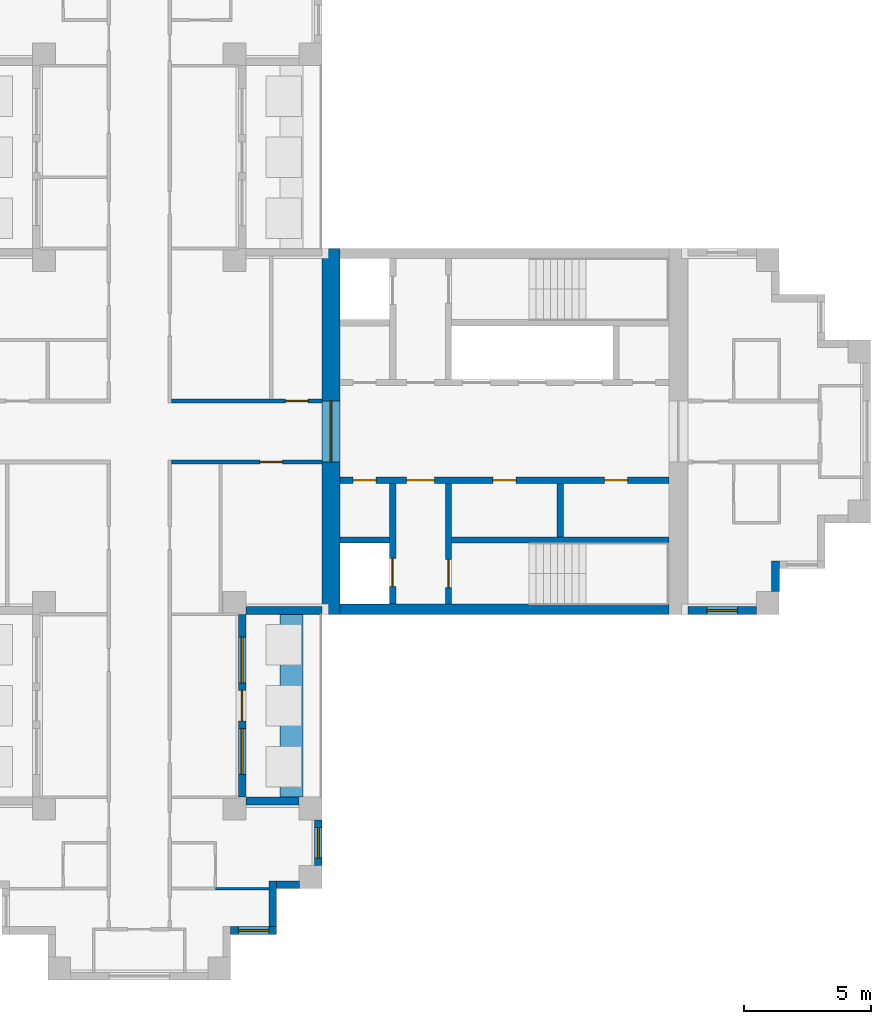
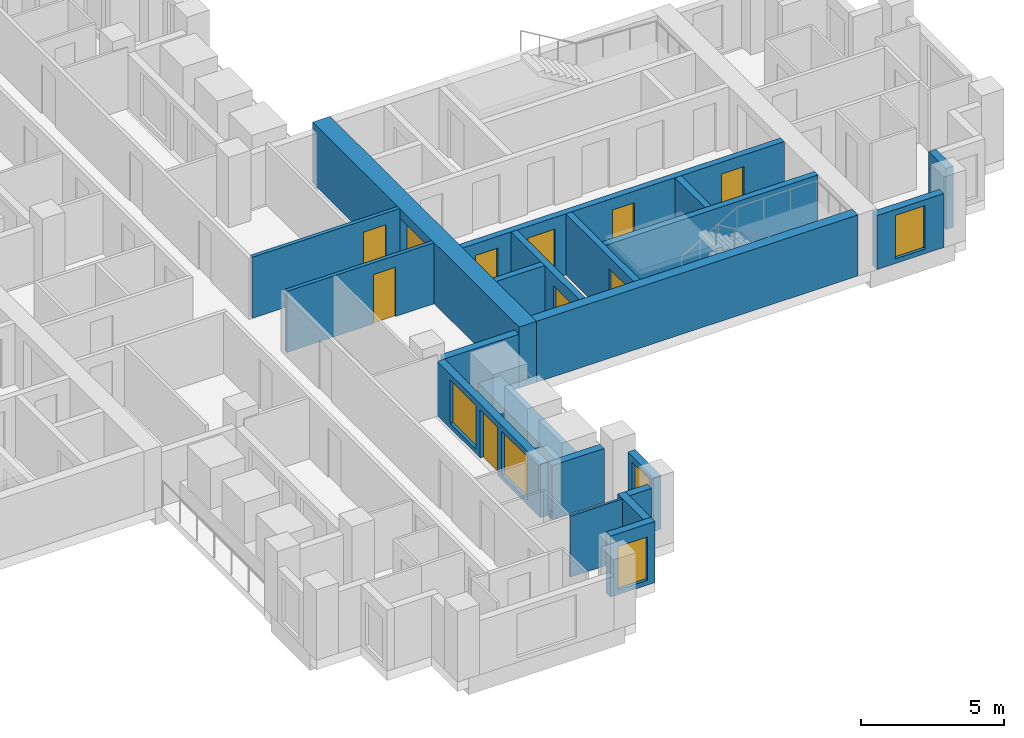
# One storey, part 5 of 10: 21 walls, 10 doors, 5 windows, 15 openings.
"""IFC4 building model written with IfcOpenShell, lengths in metres."""

from ifc_helpers import new_model, si_unit, direction, frame, frame_2d, origin, place, context, subcontext, project, spatial, rectangle, extrude, material, layer, layer_set, type_object, element, fill, save


model = new_model("IFC4")

# Units and contexts
model_context = context("Model", 3, precision=1e-05, world=origin(), true_north=direction((0.0, 1.0)))
body_context = subcontext(model_context, "Body", "Model", "MODEL_VIEW")
ifc_project = project(units=[si_unit("LENGTHUNIT", "METRE"), si_unit("AREAUNIT", "SQUARE_METRE"), si_unit("VOLUMEUNIT", "CUBIC_METRE"), si_unit("PLANEANGLEUNIT", "RADIAN"), si_unit("MASSUNIT", "GRAM", prefix="KILO")], contexts=[model_context])

# Site, building, storey
site_placement = place(None, origin())
site = spatial("IfcSite", under=ifc_project, at=site_placement, CompositionType="ELEMENT")
building_placement = place(site_placement, origin())
building = spatial("IfcBuilding", under=site, at=building_placement, Name="Fustian Cross Tower", CompositionType="ELEMENT")
storey_placement = place(building_placement, frame((0.0, 0.0, 228.89990234375)))
storey = spatial("IfcBuildingStorey", under=building, at=storey_placement, Name="L72", CompositionType="ELEMENT", Elevation=228.89990234375)

# Wall, opening, door
ifc_material_1 = material(Name="Plasterboard on steel stud", Category="steel")
ifc_layer_1 = layer(ifc_material_1, 0.14990234375)
ifc_layer_set_1 = layer_set([ifc_layer_1], Name="Plasterboard on steel stud")
wall_type_1 = type_object("IfcWallType", Name="COMPARTMENT WALL 150 EI 60", PredefinedType="PARTITIONING", material=ifc_layer_set_1)
wall_1_placement = place(storey_placement, frame((1.27490234375, -1.199951171875, 0.0), z_axis=(0.0, 0.0, 1.0), x_axis=(1.0, 0.0, 0.0)))
wall_1 = element("IfcWall", 1, at=wall_1_placement, inside=storey, type_object=wall_type_1, Name="Partition 45", PredefinedType="PARTITIONING", context=body_context, shape_type="SweptSolid", body=[
    extrude(rectangle(XDim=5.925048828125, YDim=0.14990234375, at=frame_2d((2.96240234375, 0.0))), origin(), (0.0, 0.0, 1.0), 2.60009765625),
])
opening_1_placement = place(wall_1_placement, frame((3.47509765625, 0.0, 0.0)))
opening_1 = element("IfcOpeningElement", 2, at=opening_1_placement, cuts=wall_1, Name="Opening D32007", PredefinedType="OPENING", context=body_context, shape_type="SweptSolid", body=[
    extrude(rectangle(XDim=0.89990234375, YDim=2.10009765625, at=frame_2d((0.449951171875, 1.050048828125))), frame((0.0, 0.0849609375, 0.0), z_axis=(0.0, -1.0, 0.0), x_axis=(1.0, 0.0, 0.0)), (0.0, 0.0, 1.0), 0.169921875),
])
ifc_material_2 = material(Name="Timber fire door set", Category="wood")
door_type_1 = type_object("IfcDoorType", Name="FIRE SWING DOOR 900 FD30S", OperationType="SINGLE_SWING_LEFT", PredefinedType="DOOR", material=ifc_material_2)
door_1_placement = place(opening_1_placement, frame((0.89990234375, 0.0, 0.0), z_axis=(0.0, 0.0, 1.0), x_axis=(-1.0, 0.0, 0.0)))
door_1 = element("IfcDoor", 3, at=door_1_placement, inside=storey, type_object=door_type_1, Name="Door D32007", OperationType="SINGLE_SWING_RIGHT", OverallHeight=2.10009765625, OverallWidth=0.89990234375, PredefinedType="DOOR", context=body_context, shape_type="SweptSolid", body=[
    extrude(rectangle(XDim=0.89990234375, YDim=2.10009765625, at=frame_2d((0.449951171875, 1.050048828125))), frame((0.0, 0.02490234375, 0.0), z_axis=(0.0, -1.0, 0.0), x_axis=(1.0, 0.0, 0.0)), (0.0, 0.0, 1.0), 0.050048828125),
])
fill(opening_1, door_1)

wall_2_placement = place(storey_placement, frame((1.27490234375, 1.199951171875, 0.0), z_axis=(0.0, 0.0, 1.0), x_axis=(1.0, 0.0, 0.0)))
wall_2 = element("IfcWall", 4, at=wall_2_placement, inside=storey, type_object=wall_type_1, Name="Partition 47", PredefinedType="PARTITIONING", context=body_context, shape_type="SweptSolid", body=[
    extrude(rectangle(XDim=5.925048828125, YDim=0.14990234375, at=frame_2d((2.96240234375, 0.0))), origin(), (0.0, 0.0, 1.0), 2.60009765625),
])
opening_2_placement = place(wall_2_placement, frame((4.47509765625, 0.0, 0.0)))
opening_2 = element("IfcOpeningElement", 5, at=opening_2_placement, cuts=wall_2, Name="Opening D32002", PredefinedType="OPENING", context=body_context, shape_type="SweptSolid", body=[
    extrude(rectangle(XDim=0.89990234375, YDim=2.10009765625, at=frame_2d((0.449951171875, 1.050048828125))), frame((0.0, 0.0849609375, 0.0), z_axis=(0.0, -1.0, 0.0), x_axis=(1.0, 0.0, 0.0)), (0.0, 0.0, 1.0), 0.169921875),
])
door_2_placement = place(opening_2_placement, origin())
door_2 = element("IfcDoor", 6, at=door_2_placement, inside=storey, type_object=door_type_1, Name="Door D32002", OperationType="SINGLE_SWING_LEFT", OverallHeight=2.10009765625, OverallWidth=0.89990234375, PredefinedType="DOOR", context=body_context, shape_type="SweptSolid", body=[
    extrude(rectangle(XDim=0.89990234375, YDim=2.10009765625, at=frame_2d((0.449951171875, 1.050048828125))), frame((0.0, 0.02490234375, 0.0), z_axis=(0.0, -1.0, 0.0), x_axis=(1.0, 0.0, 0.0)), (0.0, 0.0, 1.0), 0.050048828125),
])
fill(opening_2, door_2)

ifc_material_3 = material(Name="Concrete C50/60", Category="concrete")
ifc_layer_2 = layer(ifc_material_3, 0.699951171875)
ifc_layer_set_2 = layer_set([ifc_layer_2], Name="Concrete C50/60")
wall_type_2 = type_object("IfcWallType", Name="CORE END WALL 700 C50/60", PredefinedType="SHEAR", material=ifc_layer_set_2)
wall_3_placement = place(storey_placement, frame((7.550048828125, -7.199951171875, 0.0), z_axis=(0.0, 0.0, 1.0), x_axis=(0.0, 1.0, 0.0)))
wall_3 = element("IfcWall", 7, at=wall_3_placement, inside=storey, type_object=wall_type_2, Name="Core end wall", PredefinedType="SHEAR", context=body_context, shape_type="SweptSolid", body=[
    extrude(rectangle(XDim=14.39990234375, YDim=0.699951171875, at=frame_2d((7.199951171875, 0.0))), origin(), (0.0, 0.0, 1.0), 2.60009765625),
])
opening_3_placement = place(wall_3_placement, frame((6.0, 0.0, 0.0)))
opening_3 = element("IfcOpeningElement", 8, at=opening_3_placement, cuts=wall_3, Name="Opening CD-27-12", PredefinedType="OPENING", context=body_context, shape_type="SweptSolid", body=[
    extrude(rectangle(XDim=2.39990234375, YDim=2.199951171875, at=frame_2d((1.199951171875, 1.10009765625))), frame((0.0, 0.35986328125, 0.0), z_axis=(0.0, -1.0, 0.0), x_axis=(1.0, 0.0, 0.0)), (0.0, 0.0, 1.0), 0.719970703125),
])
ifc_material_4 = material(Name="Steel", Category="steel")
door_type_2 = type_object("IfcDoorType", Name="FIRE DOOR FD30S DOUBLE 2400X2200", OperationType="DOUBLE_DOOR_DOUBLE_SWING", PredefinedType="DOOR", material=ifc_material_4)
door_3_placement = place(opening_3_placement, frame((2.39990234375, 0.0, 0.0), z_axis=(0.0, 0.0, 1.0), x_axis=(-1.0, 0.0, 0.0)))
door_3 = element("IfcDoor", 9, at=door_3_placement, inside=storey, type_object=door_type_2, Name="Core door CD-27-12", OperationType="DOUBLE_DOOR_DOUBLE_SWING", OverallHeight=2.199951171875, OverallWidth=2.39990234375, PredefinedType="DOOR", context=body_context, shape_type="SweptSolid", body=[
    extrude(rectangle(XDim=2.39990234375, YDim=2.199951171875, at=frame_2d((1.199951171875, 1.10009765625))), frame((0.0, 0.02490234375, 0.0), z_axis=(0.0, -1.0, 0.0), x_axis=(1.0, 0.0, 0.0)), (0.0, 0.0, 1.0), 0.050048828125),
])
fill(opening_3, door_3)

# Wall
ifc_material_5 = material(Name="Concrete C50/60", Category="concrete")
ifc_layer_3 = layer(ifc_material_5, 0.39990234375)
ifc_layer_set_3 = layer_set([ifc_layer_3], Name="Concrete C50/60")
wall_type_3 = type_object("IfcWallType", Name="CORE FACADE WALL 400 C50/60", PredefinedType="SHEAR", material=ifc_layer_set_3)
wall_4_placement = place(storey_placement, frame((7.89990234375, -7.0, 0.0), z_axis=(0.0, 0.0, 1.0), x_axis=(1.0, 0.0, 0.0)))
element("IfcWall", 10, at=wall_4_placement, inside=storey, type_object=wall_type_3, Name="Core facade wall", PredefinedType="SHEAR", context=body_context, shape_type="SweptSolid", body=[
    extrude(rectangle(XDim=12.9501953125, YDim=0.39990234375, at=frame_2d((6.47509765625, 0.0))), origin(), (0.0, 0.0, 1.0), 2.60009765625),
])

# Wall, openings, doors
ifc_material_6 = material(Name="Concrete C50/60", Category="concrete")
ifc_layer_4 = layer(ifc_material_6, 0.25)
ifc_layer_set_4 = layer_set([ifc_layer_4], Name="Concrete C50/60")
wall_type_4 = type_object("IfcWallType", Name="CORE LOBBY WALL 250 C50/60", PredefinedType="SHEAR", material=ifc_layer_set_4)
wall_5_placement = place(storey_placement, frame((7.89990234375, -1.925048828125, 0.0), z_axis=(0.0, 0.0, 1.0), x_axis=(1.0, 0.0, 0.0)))
wall_5 = element("IfcWall", 11, at=wall_5_placement, inside=storey, type_object=wall_type_4, Name="Core lobby wall", PredefinedType="SHEAR", context=body_context, shape_type="SweptSolid", body=[
    extrude(rectangle(XDim=12.9501953125, YDim=0.25, at=frame_2d((6.47509765625, 0.0))), origin(), (0.0, 0.0, 1.0), 2.60009765625),
])
opening_4_placement = place(wall_5_placement, frame((0.52490234375, 0.0, 0.0)))
opening_4 = element("IfcOpeningElement", 12, at=opening_4_placement, cuts=wall_5, Name="Opening CD-27-09", PredefinedType="OPENING", context=body_context, shape_type="SweptSolid", body=[
    extrude(rectangle(XDim=0.89990234375, YDim=2.10009765625, at=frame_2d((0.449951171875, 1.050048828125))), frame((0.0, 0.135009765625, 0.0), z_axis=(0.0, -1.0, 0.0), x_axis=(1.0, 0.0, 0.0)), (0.0, 0.0, 1.0), 0.27001953125),
])
opening_5_placement = place(wall_5_placement, frame((2.625, 0.0, 0.0)))
opening_5 = element("IfcOpeningElement", 13, at=opening_5_placement, cuts=wall_5, Name="Opening CD-27-11", PredefinedType="OPENING", context=body_context, shape_type="SweptSolid", body=[
    extrude(rectangle(XDim=1.10009765625, YDim=2.10009765625, at=frame_2d((0.550048828125, 1.050048828125))), frame((0.0, 0.135009765625, 0.0), z_axis=(0.0, -1.0, 0.0), x_axis=(1.0, 0.0, 0.0)), (0.0, 0.0, 1.0), 0.27001953125),
])
opening_6_placement = place(wall_5_placement, frame((6.02490234375, 0.0, 0.0)))
opening_6 = element("IfcOpeningElement", 14, at=opening_6_placement, cuts=wall_5, Name="Opening CD-27-15", PredefinedType="OPENING", context=body_context, shape_type="SweptSolid", body=[
    extrude(rectangle(XDim=0.89990234375, YDim=2.10009765625, at=frame_2d((0.449951171875, 1.050048828125))), frame((0.0, 0.135009765625, 0.0), z_axis=(0.0, -1.0, 0.0), x_axis=(1.0, 0.0, 0.0)), (0.0, 0.0, 1.0), 0.27001953125),
])
opening_7_placement = place(wall_5_placement, frame((10.425048828125, 0.0, 0.0)))
opening_7 = element("IfcOpeningElement", 15, at=opening_7_placement, cuts=wall_5, Name="Opening CD-27-16", PredefinedType="OPENING", context=body_context, shape_type="SweptSolid", body=[
    extrude(rectangle(XDim=0.89990234375, YDim=2.10009765625, at=frame_2d((0.449951171875, 1.050048828125))), frame((0.0, 0.135009765625, 0.0), z_axis=(0.0, -1.0, 0.0), x_axis=(1.0, 0.0, 0.0)), (0.0, 0.0, 1.0), 0.27001953125),
])
ifc_material_7 = material(Name="Steel", Category="steel")
door_type_3 = type_object("IfcDoorType", Name="FIRE DOOR FD30S 1100X2100", OperationType="SINGLE_SWING_LEFT", PredefinedType="DOOR", material=ifc_material_7)
door_4_placement = place(opening_5_placement, frame((1.10009765625, 0.0, 0.0), z_axis=(0.0, 0.0, 1.0), x_axis=(-1.0, 0.0, 0.0)))
door_4 = element("IfcDoor", 16, at=door_4_placement, inside=storey, type_object=door_type_3, Name="Core door CD-27-11", OperationType="SINGLE_SWING_RIGHT", OverallHeight=2.10009765625, OverallWidth=1.10009765625, PredefinedType="DOOR", context=body_context, shape_type="SweptSolid", body=[
    extrude(rectangle(XDim=1.10009765625, YDim=2.10009765625, at=frame_2d((0.550048828125, 1.050048828125))), frame((0.0, 0.02490234375, 0.0), z_axis=(0.0, -1.0, 0.0), x_axis=(1.0, 0.0, 0.0)), (0.0, 0.0, 1.0), 0.050048828125),
])
fill(opening_5, door_4)
ifc_material_8 = material(Name="Steel", Category="steel")
door_type_4 = type_object("IfcDoorType", Name="FIRE DOOR FD30S 900X2100", OperationType="SINGLE_SWING_LEFT", PredefinedType="DOOR", material=ifc_material_8)
door_5_placement = place(opening_4_placement, frame((0.89990234375, 0.0, 0.0), z_axis=(0.0, 0.0, 1.0), x_axis=(-1.0, 0.0, 0.0)))
door_5 = element("IfcDoor", 17, at=door_5_placement, inside=storey, type_object=door_type_4, Name="Core door CD-27-09", OperationType="SINGLE_SWING_RIGHT", OverallHeight=2.10009765625, OverallWidth=0.89990234375, PredefinedType="DOOR", context=body_context, shape_type="SweptSolid", body=[
    extrude(rectangle(XDim=0.89990234375, YDim=2.10009765625, at=frame_2d((0.449951171875, 1.050048828125))), frame((0.0, 0.02490234375, 0.0), z_axis=(0.0, -1.0, 0.0), x_axis=(1.0, 0.0, 0.0)), (0.0, 0.0, 1.0), 0.050048828125),
])
fill(opening_4, door_5)
door_6_placement = place(opening_6_placement, frame((0.89990234375, 0.0, 0.0), z_axis=(0.0, 0.0, 1.0), x_axis=(-1.0, 0.0, 0.0)))
door_6 = element("IfcDoor", 18, at=door_6_placement, inside=storey, type_object=door_type_4, Name="Core door CD-27-15", OperationType="SINGLE_SWING_LEFT", OverallHeight=2.10009765625, OverallWidth=0.89990234375, PredefinedType="DOOR", context=body_context, shape_type="SweptSolid", body=[
    extrude(rectangle(XDim=0.89990234375, YDim=2.10009765625, at=frame_2d((0.449951171875, 1.050048828125))), frame((0.0, 0.02490234375, 0.0), z_axis=(0.0, -1.0, 0.0), x_axis=(1.0, 0.0, 0.0)), (0.0, 0.0, 1.0), 0.050048828125),
])
fill(opening_6, door_6)
door_7_placement = place(opening_7_placement, frame((0.89990234375, 0.0, 0.0), z_axis=(0.0, 0.0, 1.0), x_axis=(-1.0, 0.0, 0.0)))
door_7 = element("IfcDoor", 19, at=door_7_placement, inside=storey, type_object=door_type_4, Name="Core door CD-27-16", OperationType="SINGLE_SWING_LEFT", OverallHeight=2.10009765625, OverallWidth=0.89990234375, PredefinedType="DOOR", context=body_context, shape_type="SweptSolid", body=[
    extrude(rectangle(XDim=0.89990234375, YDim=2.10009765625, at=frame_2d((0.449951171875, 1.050048828125))), frame((0.0, 0.02490234375, 0.0), z_axis=(0.0, -1.0, 0.0), x_axis=(1.0, 0.0, 0.0)), (0.0, 0.0, 1.0), 0.050048828125),
])
fill(opening_7, door_7)

# Walls
ifc_material_9 = material(Name="Concrete C50/60", Category="concrete")
ifc_layer_5 = layer(ifc_material_9, 0.25)
ifc_layer_set_5 = layer_set([ifc_layer_5], Name="Concrete C50/60")
wall_type_5 = type_object("IfcWallType", Name="CORE SHAFT WALL 250 C50/60", PredefinedType="SHEAR", material=ifc_layer_set_5)
wall_6_placement = place(storey_placement, frame((7.89990234375, -4.27490234375, 0.0), z_axis=(0.0, 0.0, 1.0), x_axis=(1.0, 0.0, 0.0)))
element("IfcWall", 20, at=wall_6_placement, inside=storey, type_object=wall_type_5, Name="Core shaft wall", PredefinedType="SHEAR", context=body_context, shape_type="SweptSolid", body=[
    extrude(rectangle(XDim=1.9501953125, YDim=0.25, at=frame_2d((0.97509765625, 0.0))), origin(), (0.0, 0.0, 1.0), 2.60009765625),
])
wall_7_placement = place(storey_placement, frame((12.300048828125, -4.27490234375, 0.0), z_axis=(0.0, 0.0, 1.0), x_axis=(1.0, 0.0, 0.0)))
element("IfcWall", 21, at=wall_7_placement, inside=storey, type_object=wall_type_5, Name="Core shaft wall", PredefinedType="SHEAR", context=body_context, shape_type="SweptSolid", body=[
    extrude(rectangle(XDim=8.550048828125, YDim=0.25, at=frame_2d((4.27490234375, 0.0))), origin(), (0.0, 0.0, 1.0), 2.60009765625),
])

# Wall, opening, door
wall_8_placement = place(storey_placement, frame((9.97509765625, -2.050048828125, 0.0), z_axis=(0.0, 0.0, 1.0), x_axis=(0.0, -1.0, 0.0)))
wall_8 = element("IfcWall", 22, at=wall_8_placement, inside=storey, type_object=wall_type_5, Name="Core shaft wall", PredefinedType="SHEAR", context=body_context, shape_type="SweptSolid", body=[
    extrude(rectangle(XDim=4.75, YDim=0.25, at=frame_2d((2.375, 0.0))), origin(), (0.0, 0.0, 1.0), 2.60009765625),
])
opening_8_placement = place(wall_8_placement, frame((2.949951171875, 0.0, 0.0)))
opening_8 = element("IfcOpeningElement", 23, at=opening_8_placement, cuts=wall_8, Name="Opening LD", PredefinedType="OPENING", context=body_context, shape_type="SweptSolid", body=[
    extrude(rectangle(XDim=1.10009765625, YDim=2.10009765625, at=frame_2d((0.550048828125, 1.050048828125))), frame((0.0, 0.135009765625, 0.0), z_axis=(0.0, -1.0, 0.0), x_axis=(1.0, 0.0, 0.0)), (0.0, 0.0, 1.0), 0.27001953125),
])
ifc_material_10 = material(Name="Stainless steel", Category="steel")
door_type_5 = type_object("IfcDoorType", Name="LIFT LANDING DOOR 1100X2100", OperationType="SLIDING_TO_LEFT", PredefinedType="DOOR", material=ifc_material_10)
door_8_placement = place(opening_8_placement, origin())
door_8 = element("IfcDoor", 24, at=door_8_placement, inside=storey, type_object=door_type_5, Name="Landing door SV1", OperationType="SLIDING_TO_LEFT", OverallHeight=2.10009765625, OverallWidth=1.10009765625, PredefinedType="DOOR", context=body_context, shape_type="SweptSolid", body=[
    extrude(rectangle(XDim=1.10009765625, YDim=2.10009765625, at=frame_2d((0.550048828125, 1.050048828125))), frame((0.0, 0.02490234375, 0.0), z_axis=(0.0, -1.0, 0.0), x_axis=(1.0, 0.0, 0.0)), (0.0, 0.0, 1.0), 0.050048828125),
])
fill(opening_8, door_8)

wall_9_placement = place(storey_placement, frame((12.175048828125, -2.050048828125, 0.0), z_axis=(0.0, 0.0, 1.0), x_axis=(0.0, -1.0, 0.0)))
wall_9 = element("IfcWall", 25, at=wall_9_placement, inside=storey, type_object=wall_type_5, Name="Core shaft wall", PredefinedType="SHEAR", context=body_context, shape_type="SweptSolid", body=[
    extrude(rectangle(XDim=4.75, YDim=0.25, at=frame_2d((2.375, 0.0))), origin(), (0.0, 0.0, 1.0), 2.60009765625),
])
opening_9_placement = place(wall_9_placement, frame((3.0, 0.0, 0.0)))
opening_9 = element("IfcOpeningElement", 26, at=opening_9_placement, cuts=wall_9, Name="Opening CD-27-07", PredefinedType="OPENING", context=body_context, shape_type="SweptSolid", body=[
    extrude(rectangle(XDim=1.10009765625, YDim=2.10009765625, at=frame_2d((0.550048828125, 1.050048828125))), frame((0.0, 0.135009765625, 0.0), z_axis=(0.0, -1.0, 0.0), x_axis=(1.0, 0.0, 0.0)), (0.0, 0.0, 1.0), 0.27001953125),
])
ifc_material_11 = material(Name="Steel", Category="steel")
door_type_6 = type_object("IfcDoorType", Name="FIRE DOOR FD60S 1100X2100", OperationType="SINGLE_SWING_LEFT", PredefinedType="DOOR", material=ifc_material_11)
door_9_placement = place(opening_9_placement, origin())
door_9 = element("IfcDoor", 27, at=door_9_placement, inside=storey, type_object=door_type_6, Name="Core door CD-27-07", OperationType="SINGLE_SWING_LEFT", OverallHeight=2.10009765625, OverallWidth=1.10009765625, PredefinedType="DOOR", context=body_context, shape_type="SweptSolid", body=[
    extrude(rectangle(XDim=1.10009765625, YDim=2.10009765625, at=frame_2d((0.550048828125, 1.050048828125))), frame((0.0, 0.02490234375, 0.0), z_axis=(0.0, -1.0, 0.0), x_axis=(1.0, 0.0, 0.0)), (0.0, 0.0, 1.0), 0.050048828125),
])
fill(opening_9, door_9)

# Walls
ifc_material_12 = material(Name="Plasterboard on steel stud", Category="steel")
ifc_layer_6 = layer(ifc_material_12, 0.10009765625)
ifc_layer_set_6 = layer_set([ifc_layer_6], Name="Plasterboard on steel stud")
wall_type_6 = type_object("IfcWallType", Name="PARTITION 100 STUD", PredefinedType="PARTITIONING", material=ifc_layer_set_6)
wall_10_placement = place(storey_placement, frame((3.0, -18.0, 0.0), z_axis=(0.0, 0.0, 1.0), x_axis=(1.0, 0.0, 0.0)))
element("IfcWall", 28, at=wall_10_placement, inside=storey, type_object=wall_type_6, Name="Partition 56", PredefinedType="PARTITIONING", context=body_context, shape_type="SweptSolid", body=[
    extrude(rectangle(XDim=2.10009765625, YDim=0.10009765625, at=frame_2d((1.050048828125, 0.0))), origin(), (0.0, 0.0, 1.0), 2.60009765625),
])
ifc_material_13 = material(Name="Concrete C40/50", Category="concrete")
ifc_layer_7 = layer(ifc_material_13, 0.89990234375)
ifc_layer_set_7 = layer_set([ifc_layer_7], Name="Concrete C40/50")
wall_type_7 = type_object("IfcWallType", Name="PK1 PLANTER 900", PredefinedType="PARAPET", material=ifc_layer_set_7)
wall_11_placement = place(storey_placement, frame((6.0, -14.39990234375, 0.0), z_axis=(0.0, 0.0, 1.0), x_axis=(0.0, 1.0, 0.0)))
element("IfcWall", 29, at=wall_11_placement, inside=storey, type_object=wall_type_7, Name="PLANTER", PredefinedType="PARAPET", context=body_context, shape_type="SweptSolid", body=[
    extrude(rectangle(XDim=7.199951171875, YDim=0.89990234375, at=frame_2d((3.60009765625, 0.0))), origin(), (0.0, 0.0, 1.0), 0.800048828125),
])
ifc_material_14 = material(Name="Concrete C40/50", Category="concrete")
ifc_layer_8 = layer(ifc_material_14, 0.25)
ifc_layer_set_8 = layer_set([ifc_layer_8], Name="Concrete C40/50")
wall_type_8 = type_object("IfcWallType", Name="SHAFT PARTITION WALL 250 C40/50", PredefinedType="PARTITIONING", material=ifc_layer_set_8)
wall_12_placement = place(storey_placement, frame((16.574951171875, -2.050048828125, 0.0), z_axis=(0.0, 0.0, 1.0), x_axis=(0.0, -1.0, 0.0)))
element("IfcWall", 30, at=wall_12_placement, inside=storey, type_object=wall_type_8, Name="Core shaft wall", PredefinedType="PARTITIONING", context=body_context, shape_type="SweptSolid", body=[
    extrude(rectangle(XDim=2.099853515625, YDim=0.25, at=frame_2d((1.0498046875, 0.0))), origin(), (0.0, 0.0, 1.0), 2.60009765625),
])

# Wall, opening, window
ifc_material_15 = material(Name="Dark aluminium cladding on insulated backing wall", Category="aluminium")
ifc_layer_9 = layer(ifc_material_15, 0.300048828125)
ifc_layer_set_9 = layer_set([ifc_layer_9], Name="Dark aluminium cladding on insulated backing wall")
wall_type_9 = type_object("IfcWallType", Name="XW1 EXTERNAL WALL 300", PredefinedType="SOLIDWALL", material=ifc_layer_set_9)
wall_13_placement = place(storey_placement, frame((21.60009765625, -7.050048828125, 0.0), z_axis=(0.0, 0.0, 1.0), x_axis=(1.0, 0.0, 0.0)))
wall_13 = element("IfcWall", 31, at=wall_13_placement, inside=storey, type_object=wall_type_9, Name="External wall", PredefinedType="SOLIDWALL", context=body_context, shape_type="SweptSolid", body=[
    extrude(rectangle(XDim=2.699951171875, YDim=0.300048828125, at=frame_2d((1.35009765625, 0.0))), origin(), (0.0, 0.0, 1.0), 2.300048828125),
])
opening_10_placement = place(wall_13_placement, frame((0.75, 0.0, 0.199951171875)))
opening_10 = element("IfcOpeningElement", 32, at=opening_10_placement, cuts=wall_13, Name="Opening WN3", PredefinedType="OPENING", context=body_context, shape_type="SweptSolid", body=[
    extrude(rectangle(XDim=1.199951171875, YDim=1.85009765625, at=frame_2d((0.60009765625, 0.925048828125))), frame((0.0, 0.159912109375, 0.0), z_axis=(0.0, -1.0, 0.0), x_axis=(1.0, 0.0, 0.0)), (0.0, 0.0, 1.0), 0.320068359375),
])
ifc_material_16 = material(Name="Dark anodised aluminium and double glazing", Category="aluminium")
window_type_1 = type_object("IfcWindowType", Name="WN3 WINDOW 1200X1850", PartitioningType="SINGLE_PANEL", PredefinedType="WINDOW", material=ifc_material_16)
window_1_placement = place(opening_10_placement, origin())
window_1 = element("IfcWindow", 33, at=window_1_placement, inside=storey, type_object=window_type_1, Name="Window", OverallHeight=1.85009765625, OverallWidth=1.199951171875, PartitioningType="SINGLE_PANEL", PredefinedType="WINDOW", context=body_context, shape_type="SweptSolid", body=[
    extrude(rectangle(XDim=1.199951171875, YDim=1.85009765625, at=frame_2d((0.60009765625, 0.925048828125))), frame((0.0, 0.030029296875, 0.0), z_axis=(0.0, -1.0, 0.0), x_axis=(1.0, 0.0, 0.0)), (0.0, 0.0, 1.0), 0.06005859375),
])
fill(opening_10, window_1)

# Wall
wall_14_placement = place(storey_placement, frame((25.050048828125, -6.300048828125, 0.0), z_axis=(0.0, 0.0, 1.0), x_axis=(0.0, 1.0, 0.0)))
element("IfcWall", 34, at=wall_14_placement, inside=storey, type_object=wall_type_9, Name="External wall", PredefinedType="SOLIDWALL", context=body_context, shape_type="SweptSolid", body=[
    extrude(rectangle(XDim=1.199951171875, YDim=0.300048828125, at=frame_2d((0.60009765625, 0.0))), origin(), (0.0, 0.0, 1.0), 2.60009765625),
])

# Wall, opening, window
wall_15_placement = place(storey_placement, frame((3.60009765625, -19.64990234375, 0.0), z_axis=(0.0, 0.0, 1.0), x_axis=(1.0, 0.0, 0.0)))
wall_15 = element("IfcWall", 35, at=wall_15_placement, inside=storey, type_object=wall_type_9, Name="External wall", PredefinedType="SOLIDWALL", context=body_context, shape_type="SweptSolid", body=[
    extrude(rectangle(XDim=1.7998046875, YDim=0.300048828125, at=frame_2d((0.89990234375, 0.0))), origin(), (0.0, 0.0, 1.0), 2.60009765625),
])
opening_11_placement = place(wall_15_placement, frame((0.300048828125, 0.0, 0.199951171875)))
opening_11 = element("IfcOpeningElement", 36, at=opening_11_placement, cuts=wall_15, Name="Opening WN3", PredefinedType="OPENING", context=body_context, shape_type="SweptSolid", body=[
    extrude(rectangle(XDim=1.199951171875, YDim=1.85009765625, at=frame_2d((0.60009765625, 0.925048828125))), frame((0.0, 0.159912109375, 0.0), z_axis=(0.0, -1.0, 0.0), x_axis=(1.0, 0.0, 0.0)), (0.0, 0.0, 1.0), 0.320068359375),
])
window_2_placement = place(opening_11_placement, origin())
window_2 = element("IfcWindow", 37, at=window_2_placement, inside=storey, type_object=window_type_1, Name="Window", OverallHeight=1.85009765625, OverallWidth=1.199951171875, PartitioningType="SINGLE_PANEL", PredefinedType="WINDOW", context=body_context, shape_type="SweptSolid", body=[
    extrude(rectangle(XDim=1.199951171875, YDim=1.85009765625, at=frame_2d((0.60009765625, 0.925048828125))), frame((0.0, 0.030029296875, 0.0), z_axis=(0.0, -1.0, 0.0), x_axis=(1.0, 0.0, 0.0)), (0.0, 0.0, 1.0), 0.06005859375),
])
fill(opening_11, window_2)

# Walls
wall_16_placement = place(storey_placement, frame((5.25, -19.5, 0.0), z_axis=(0.0, 0.0, 1.0), x_axis=(0.0, 1.0, 0.0)))
element("IfcWall", 38, at=wall_16_placement, inside=storey, type_object=wall_type_9, Name="External wall", PredefinedType="SOLIDWALL", context=body_context, shape_type="SweptSolid", body=[
    extrude(rectangle(XDim=1.800048828125, YDim=0.300048828125, at=frame_2d((0.89990234375, 0.0))), origin(), (0.0, 0.0, 1.0), 2.60009765625),
])
wall_17_placement = place(storey_placement, frame((5.39990234375, -17.85009765625, 0.0), z_axis=(0.0, 0.0, 1.0), x_axis=(1.0, 0.0, 0.0)))
element("IfcWall", 39, at=wall_17_placement, inside=storey, type_object=wall_type_9, Name="External wall", PredefinedType="SOLIDWALL", context=body_context, shape_type="SweptSolid", body=[
    extrude(rectangle(XDim=0.900146484375, YDim=0.300048828125, at=frame_2d((0.4501953125, 0.0))), origin(), (0.0, 0.0, 1.0), 2.60009765625),
])

# Wall, opening, window
wall_18_placement = place(storey_placement, frame((7.050048828125, -17.10009765625, 0.0), z_axis=(0.0, 0.0, 1.0), x_axis=(0.0, 1.0, 0.0)))
wall_18 = element("IfcWall", 40, at=wall_18_placement, inside=storey, type_object=wall_type_9, Name="External wall", PredefinedType="SOLIDWALL", context=body_context, shape_type="SweptSolid", body=[
    extrude(rectangle(XDim=1.800048828125, YDim=0.300048828125, at=frame_2d((0.89990234375, 0.0))), origin(), (0.0, 0.0, 1.0), 2.300048828125),
])
opening_12_placement = place(wall_18_placement, frame((0.300048828125, 0.0, 0.199951171875)))
opening_12 = element("IfcOpeningElement", 41, at=opening_12_placement, cuts=wall_18, Name="Opening WN3", PredefinedType="OPENING", context=body_context, shape_type="SweptSolid", body=[
    extrude(rectangle(XDim=1.199951171875, YDim=1.85009765625, at=frame_2d((0.60009765625, 0.925048828125))), frame((0.0, 0.159912109375, 0.0), z_axis=(0.0, -1.0, 0.0), x_axis=(1.0, 0.0, 0.0)), (0.0, 0.0, 1.0), 0.320068359375),
])
window_3_placement = place(opening_12_placement, origin())
window_3 = element("IfcWindow", 42, at=window_3_placement, inside=storey, type_object=window_type_1, Name="Window", OverallHeight=1.85009765625, OverallWidth=1.199951171875, PartitioningType="SINGLE_PANEL", PredefinedType="WINDOW", context=body_context, shape_type="SweptSolid", body=[
    extrude(rectangle(XDim=1.199951171875, YDim=1.85009765625, at=frame_2d((0.60009765625, 0.925048828125))), frame((0.0, 0.030029296875, 0.0), z_axis=(0.0, -1.0, 0.0), x_axis=(1.0, 0.0, 0.0)), (0.0, 0.0, 1.0), 0.06005859375),
])
fill(opening_12, window_3)

# Wall
wall_19_placement = place(storey_placement, frame((6.300048828125, -14.550048828125, 0.0), z_axis=(0.0, 0.0, 1.0), x_axis=(-1.0, 0.0, 0.0)))
element("IfcWall", 43, at=wall_19_placement, inside=storey, type_object=wall_type_9, Name="External wall", PredefinedType="SOLIDWALL", context=body_context, shape_type="SweptSolid", body=[
    extrude(rectangle(XDim=2.10009765625, YDim=0.300048828125, at=frame_2d((1.050048828125, 0.0))), origin(), (0.0, 0.0, 1.0), 2.300048828125),
])

# Wall, openings, door, windows
wall_20_placement = place(storey_placement, frame((4.050048828125, -14.39990234375, 0.0), z_axis=(0.0, 0.0, 1.0), x_axis=(0.0, 1.0, 0.0)))
wall_20 = element("IfcWall", 44, at=wall_20_placement, inside=storey, type_object=wall_type_9, Name="External wall", PredefinedType="SOLIDWALL", context=body_context, shape_type="SweptSolid", body=[
    extrude(rectangle(XDim=7.199951171875, YDim=0.300048828125, at=frame_2d((3.60009765625, 0.0))), origin(), (0.0, 0.0, 1.0), 2.300048828125),
])
opening_13_placement = place(wall_20_placement, frame((3.0, 0.0, 0.0)))
opening_13 = element("IfcOpeningElement", 45, at=opening_13_placement, cuts=wall_20, Name="Opening XD3", PredefinedType="OPENING", context=body_context, shape_type="SweptSolid", body=[
    extrude(rectangle(XDim=1.199951171875, YDim=2.050048828125, at=frame_2d((0.60009765625, 1.02490234375))), frame((0.0, 0.159912109375, 0.0), z_axis=(0.0, -1.0, 0.0), x_axis=(1.0, 0.0, 0.0)), (0.0, 0.0, 1.0), 0.320068359375),
])
opening_14_placement = place(wall_20_placement, frame((0.89990234375, 0.0, 0.199951171875)))
opening_14 = element("IfcOpeningElement", 46, at=opening_14_placement, cuts=wall_20, Name="Opening WN2", PredefinedType="OPENING", context=body_context, shape_type="SweptSolid", body=[
    extrude(rectangle(XDim=1.800048828125, YDim=1.85009765625, at=frame_2d((0.89990234375, 0.925048828125))), frame((0.0, 0.159912109375, 0.0), z_axis=(0.0, -1.0, 0.0), x_axis=(1.0, 0.0, 0.0)), (0.0, 0.0, 1.0), 0.320068359375),
])
opening_15_placement = place(wall_20_placement, frame((4.5, 0.0, 0.199951171875)))
opening_15 = element("IfcOpeningElement", 47, at=opening_15_placement, cuts=wall_20, Name="Opening WN2", PredefinedType="OPENING", context=body_context, shape_type="SweptSolid", body=[
    extrude(rectangle(XDim=1.800048828125, YDim=1.85009765625, at=frame_2d((0.89990234375, 0.925048828125))), frame((0.0, 0.159912109375, 0.0), z_axis=(0.0, -1.0, 0.0), x_axis=(1.0, 0.0, 0.0)), (0.0, 0.0, 1.0), 0.320068359375),
])
ifc_material_17 = material(Name="Dark anodised aluminium and double glazing", Category="aluminium")
door_type_7 = type_object("IfcDoorType", Name="ED1 BALCONY DOOR 1200X2050", OperationType="SINGLE_SWING_LEFT", PredefinedType="DOOR", material=ifc_material_17)
door_10_placement = place(opening_13_placement, origin())
door_10 = element("IfcDoor", 48, at=door_10_placement, inside=storey, type_object=door_type_7, Name="Balcony door", OperationType="SINGLE_SWING_LEFT", OverallHeight=2.050048828125, OverallWidth=1.199951171875, PredefinedType="DOOR", context=body_context, shape_type="SweptSolid", body=[
    extrude(rectangle(XDim=1.199951171875, YDim=2.050048828125, at=frame_2d((0.60009765625, 1.02490234375))), frame((0.0, 0.02490234375, 0.0), z_axis=(0.0, -1.0, 0.0), x_axis=(1.0, 0.0, 0.0)), (0.0, 0.0, 1.0), 0.050048828125),
])
fill(opening_13, door_10)
ifc_material_18 = material(Name="Dark anodised aluminium and double glazing", Category="aluminium")
window_type_2 = type_object("IfcWindowType", Name="WN2 WINDOW 1800X1850", PartitioningType="SINGLE_PANEL", PredefinedType="WINDOW", material=ifc_material_18)
window_4_placement = place(opening_14_placement, origin())
window_4 = element("IfcWindow", 49, at=window_4_placement, inside=storey, type_object=window_type_2, Name="Window", OverallHeight=1.85009765625, OverallWidth=1.800048828125, PartitioningType="SINGLE_PANEL", PredefinedType="WINDOW", context=body_context, shape_type="SweptSolid", body=[
    extrude(rectangle(XDim=1.800048828125, YDim=1.85009765625, at=frame_2d((0.89990234375, 0.925048828125))), frame((0.0, 0.030029296875, 0.0), z_axis=(0.0, -1.0, 0.0), x_axis=(1.0, 0.0, 0.0)), (0.0, 0.0, 1.0), 0.06005859375),
])
fill(opening_14, window_4)
window_5_placement = place(opening_15_placement, origin())
window_5 = element("IfcWindow", 50, at=window_5_placement, inside=storey, type_object=window_type_2, Name="Window", OverallHeight=1.85009765625, OverallWidth=1.800048828125, PartitioningType="SINGLE_PANEL", PredefinedType="WINDOW", context=body_context, shape_type="SweptSolid", body=[
    extrude(rectangle(XDim=1.800048828125, YDim=1.85009765625, at=frame_2d((0.89990234375, 0.925048828125))), frame((0.0, 0.030029296875, 0.0), z_axis=(0.0, -1.0, 0.0), x_axis=(1.0, 0.0, 0.0)), (0.0, 0.0, 1.0), 0.06005859375),
])
fill(opening_15, window_5)

# Wall
wall_21_placement = place(storey_placement, frame((4.199951171875, -7.050048828125, 0.0), z_axis=(0.0, 0.0, 1.0), x_axis=(1.0, 0.0, 0.0)))
element("IfcWall", 51, at=wall_21_placement, inside=storey, type_object=wall_type_9, Name="External wall", PredefinedType="SOLIDWALL", context=body_context, shape_type="SweptSolid", body=[
    extrude(rectangle(XDim=3.0, YDim=0.300048828125, at=frame_2d((1.5, 0.0))), origin(), (0.0, 0.0, 1.0), 2.300048828125),
])

save(model, "model.ifc")
